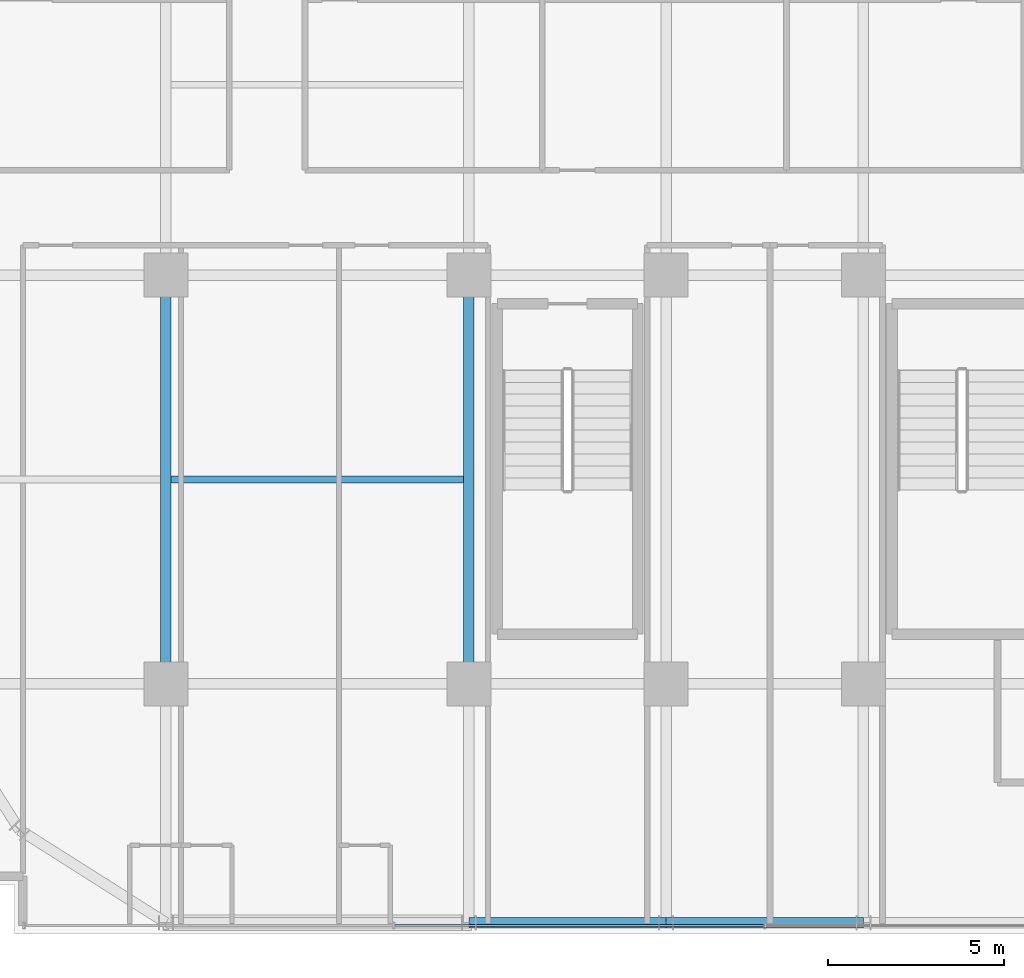
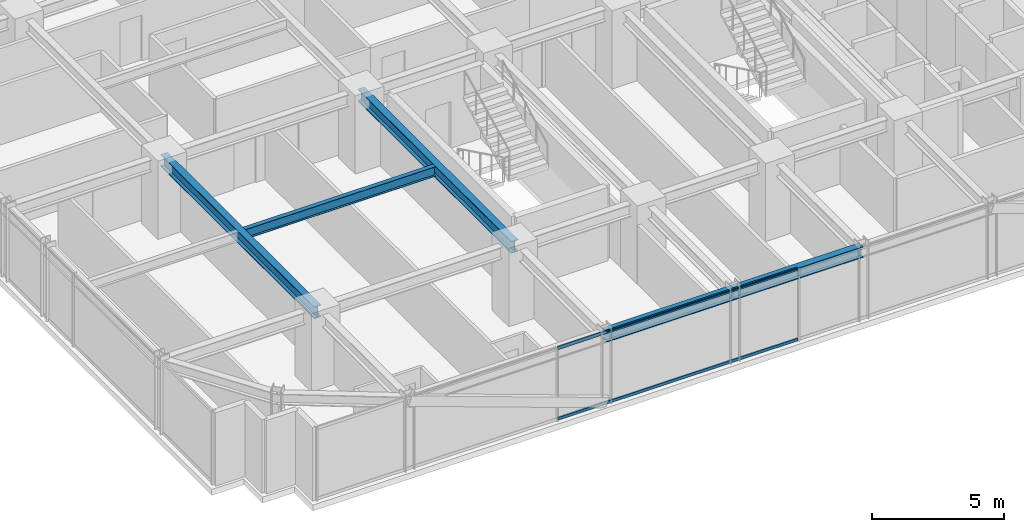
# One storey, part 5 of 34: 5 beams, 2 members, 1 element without a shape of its own.
"""IFC4 building model written with IfcOpenShell, lengths in metres."""

from ifc_helpers import new_model, si_unit, direction, frame, origin, origin_2d, place, context, subcontext, project, spatial, hollow_rectangle, i_section, extrude, source, transform, mapped, material, material_profile, profile_set, type_object, element, aggregate, save


model = new_model("IFC4")

# Units and contexts
model_context = context("Model", 3, precision=1e-05, world=origin(), true_north=direction((0.0, 1.0)))
body_context = subcontext(model_context, "Body", "Model", "MODEL_VIEW")
ifc_project = project(units=[si_unit("LENGTHUNIT", "METRE"), si_unit("AREAUNIT", "SQUARE_METRE"), si_unit("VOLUMEUNIT", "CUBIC_METRE"), si_unit("PLANEANGLEUNIT", "RADIAN"), si_unit("MASSUNIT", "GRAM", prefix="KILO")], contexts=[model_context])

# Site, building, storey
site_placement = place(None, origin())
site = spatial("IfcSite", under=ifc_project, at=site_placement, CompositionType="ELEMENT")
building_placement = place(site_placement, origin())
building = spatial("IfcBuilding", under=site, at=building_placement, Name="Nahalor Promenade Grand Hotel", CompositionType="ELEMENT")
storey_placement = place(building_placement, frame((0.0, 0.0, 99.25)))
storey = spatial("IfcBuildingStorey", under=building, at=storey_placement, Name="L24", CompositionType="ELEMENT", Elevation=99.25)

# Beams
ifc_material_1 = material(Name="Steel S355JR", Category="steel")
ifc_material_profile_1 = material_profile(ifc_material_1, i_section(OverallWidth=0.3, OverallDepth=0.5, WebThickness=0.0145, FlangeThickness=0.028, at=origin_2d()), Name="HEB 500")
ifc_profile_set_1 = profile_set([ifc_material_profile_1], Name="Steel S355JR")
beam_type_1 = type_object("IfcBeamType", Name="Beam-Spandrel-HEB500", PredefinedType="SPANDREL", material=ifc_profile_set_1)
shared_shape_1 = source(origin(), body_context, "Body", "SweptSolid", [
    extrude(i_section(OverallWidth=0.3, OverallDepth=0.5, WebThickness=0.0145, FlangeThickness=0.028, at=origin_2d()), origin(), (0.0, 0.0, 1.0), 5.599853515625),
])
beam_1_placement = place(storey_placement, frame((-8.39990234375, -23.780029296875, 3.1298828125), z_axis=(1.0, 0.0, 0.0), x_axis=(0.0, 1.0, 0.0)))
element("IfcBeam", 1, at=beam_1_placement, inside=storey, type_object=beam_type_1, Name="BM-L24-SP-S-1", PredefinedType="SPANDREL", context=body_context, shape_type="MappedRepresentation", body=[
    mapped(shared_shape_1, transform((0.0, 0.0, 0.0), scale=1.0)),
])
shared_shape_2 = source(origin(), body_context, "Body", "SweptSolid", [
    extrude(i_section(OverallWidth=0.3, OverallDepth=0.5, WebThickness=0.0145, FlangeThickness=0.028, at=origin_2d()), origin(), (0.0, 0.0, 1.0), 5.60009765625),
])
beam_2_placement = place(storey_placement, frame((-2.800048828125, -23.780029296875, 3.1298828125), z_axis=(1.0, 0.0, 0.0), x_axis=(0.0, 1.0, 0.0)))
element("IfcBeam", 2, at=beam_2_placement, inside=storey, type_object=beam_type_1, Name="BM-L24-SP-S-2", PredefinedType="SPANDREL", context=body_context, shape_type="MappedRepresentation", body=[
    mapped(shared_shape_2, transform((0.0, 0.0, 0.0), scale=1.0)),
])
ifc_material_profile_2 = material_profile(ifc_material_1, i_section(OverallWidth=0.3, OverallDepth=0.55, WebThickness=0.015, FlangeThickness=0.029, at=origin_2d()), Name="HEB 550")
ifc_profile_set_2 = profile_set([ifc_material_profile_2], Name="Steel S355JR")
beam_type_2 = type_object("IfcBeamType", Name="Beam-Girder-HEB550", PredefinedType="BEAM", material=ifc_profile_set_2)
shared_shape_3 = source(origin(), body_context, "Body", "SweptSolid", [
    extrude(i_section(OverallWidth=0.3, OverallDepth=0.55, WebThickness=0.015, FlangeThickness=0.029, at=origin_2d()), origin(), (0.0, 0.0, 1.0), 11.60009765625),
])
for number, where, z_axis, x_axis, name in (
    (3, (-17.0, -17.0, 3.10498046875), (0.0, 1.0, 0.0), (-1.0, 0.0, 0.0), "BM-L24-GY-0-1"),
    (4, (-8.39990234375, -17.0, 3.10498046875), (0.0, 1.0, 0.0), (-1.0, 0.0, 0.0), "BM-L24-GY-1-1"),
):
    element("IfcBeam", number, at=place(storey_placement, frame(where, z_axis=z_axis, x_axis=x_axis)), inside=storey, type_object=beam_type_2, Name=name, PredefinedType="BEAM", context=body_context, shape_type="MappedRepresentation", body=[
        mapped(shared_shape_3, transform((0.0, 0.0, 0.0), scale=1.0)),
    ])
ifc_material_profile_3 = material_profile(ifc_material_1, i_section(OverallWidth=0.19, OverallDepth=0.45, WebThickness=0.0094, FlangeThickness=0.0146, at=origin_2d()), Name="IPE 450")
ifc_profile_set_3 = profile_set([ifc_material_profile_3], Name="Steel S355JR")
beam_type_3 = type_object("IfcBeamType", Name="Beam-Joist-IPE450", PredefinedType="JOIST", material=ifc_profile_set_3)
shared_shape_4 = source(origin(), body_context, "Body", "SweptSolid", [
    extrude(i_section(OverallWidth=0.19, OverallDepth=0.45, WebThickness=0.0094, FlangeThickness=0.0146, at=origin_2d()), origin(), (0.0, 0.0, 1.0), 8.300048828125),
])
beam_3_placement = place(storey_placement, frame((-16.85009765625, -11.199951171875, 3.155029296875), z_axis=(1.0, 0.0, 0.0), x_axis=(0.0, 1.0, 0.0)))
element("IfcBeam", 5, at=beam_3_placement, inside=storey, type_object=beam_type_3, Name="BM-L24-JSW-0-1", PredefinedType="JOIST", context=body_context, shape_type="MappedRepresentation", body=[
    mapped(shared_shape_4, transform((0.0, 0.0, 0.0), scale=1.0)),
])

# Curtain wall, members
ifc_material_2 = material(Name="Anodised Bronze Aluminium EN AW-6063 T6", Category="aluminium")
curtain_wall_type = type_object("IfcCurtainWallType", Name="CW2 Typical Hotel Flush Bronze Unitised Curtain Wall", PredefinedType="USERDEFINED", material=ifc_material_2)
curtain_wall_placement = place(storey_placement, origin())
curtain_wall = element("IfcCurtainWall", 6, at=curtain_wall_placement, inside=storey, type_object=curtain_wall_type, Name="L24 Curtain Wall CW-L24-S-1", ObjectType="UNITISED_CURTAIN_WALL", PredefinedType="USERDEFINED")
ifc_material_profile_4 = material_profile(ifc_material_2, hollow_rectangle(XDim=0.065, YDim=0.13, WallThickness=0.004, at=origin_2d()), Name="CWT 65x130x4")
ifc_profile_set_4 = profile_set([ifc_material_profile_4], Name="Anodised Bronze Aluminium EN AW-6063 T6")
member_type = type_object("IfcMemberType", Name="CWT2 Typical Bronze Transom 65x130", PredefinedType="USERDEFINED", material=ifc_profile_set_4)
shared_shape_5 = source(origin(), body_context, "Body", "SweptSolid", [
    extrude(hollow_rectangle(XDim=0.065, YDim=0.13, WallThickness=0.004, at=origin_2d()), origin(), (0.0, 0.0, 1.0), 10.465087890625),
])
member_1_placement = place(storey_placement, frame((-10.49755859375, -23.860107421875, 0.06494140625), z_axis=(1.0, 0.0, 0.0), x_axis=(0.0, 1.0, 0.0)))
member_1 = element("IfcMember", 7, at=member_1_placement, type_object=member_type, Name="CW-L24-S-1 Transom 1-0", ObjectType="TRANSOM", PredefinedType="USERDEFINED", context=body_context, shape_type="MappedRepresentation", body=[
    mapped(shared_shape_5, transform((0.0, 0.0, 0.0), scale=1.0)),
])
member_2_placement = place(storey_placement, frame((-10.49755859375, -23.860107421875, 3.31494140625), z_axis=(1.0, 0.0, 0.0), x_axis=(0.0, 1.0, 0.0)))
member_2 = element("IfcMember", 8, at=member_2_placement, type_object=member_type, Name="CW-L24-S-1 Transom 1-1", ObjectType="TRANSOM", PredefinedType="USERDEFINED", context=body_context, shape_type="MappedRepresentation", body=[
    mapped(shared_shape_5, transform((0.0, 0.0, 0.0), scale=1.0)),
])
aggregate(curtain_wall, [member_1, member_2])

save(model, "model.ifc")
